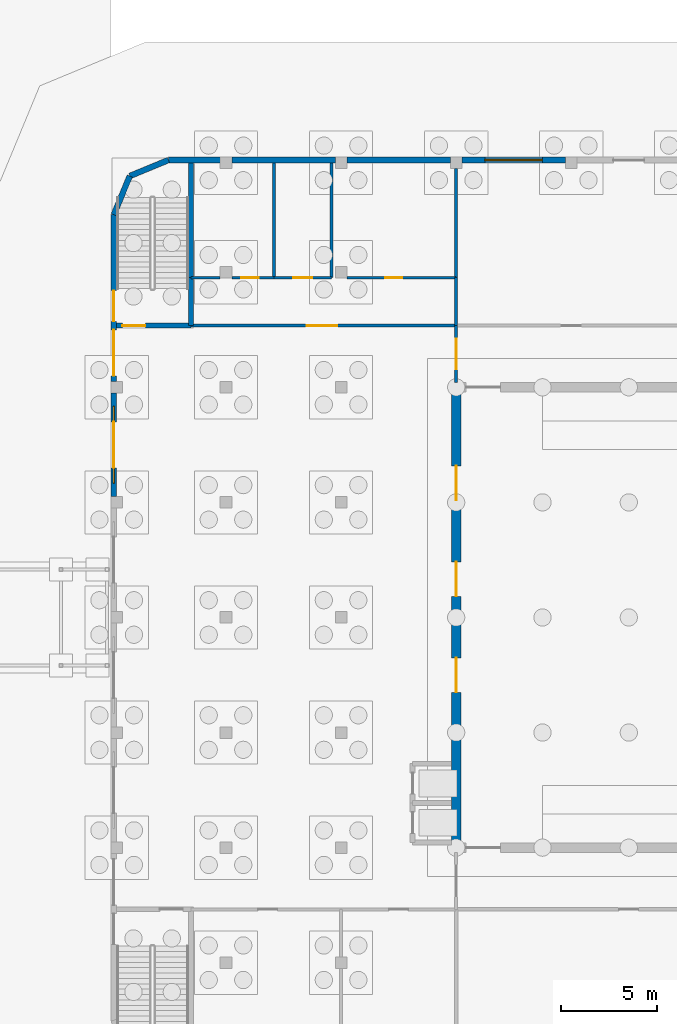
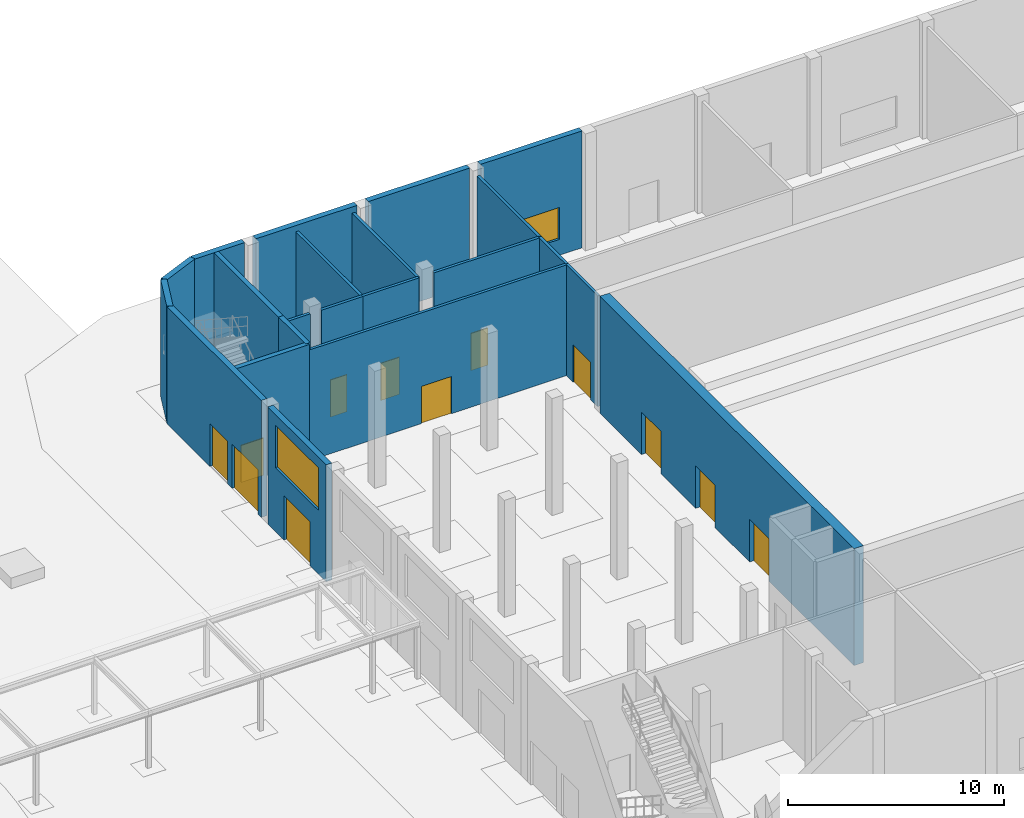
# One storey, part 32 of 44: 22 walls, 12 doors, 2 windows, 14 openings.
"""IFC4 building model written with IfcOpenShell, lengths in metres."""

from ifc_helpers import new_model, si_unit, direction, frame, frame_2d, origin, place, context, subcontext, project, spatial, rectangle, extrude, material, layer, layer_set, type_object, element, fill, save


model = new_model("IFC4")

# Units and contexts
model_context = context("Model", 3, precision=1e-05, world=origin(), true_north=direction((0.0, 1.0)))
body_context = subcontext(model_context, "Body", "Model", "MODEL_VIEW")
ifc_project = project(units=[si_unit("LENGTHUNIT", "METRE"), si_unit("AREAUNIT", "SQUARE_METRE"), si_unit("VOLUMEUNIT", "CUBIC_METRE"), si_unit("PLANEANGLEUNIT", "RADIAN"), si_unit("MASSUNIT", "GRAM", prefix="KILO")], contexts=[model_context])

# Site, building, storey
site_placement = place(None, origin())
site = spatial("IfcSite", under=ifc_project, at=site_placement, CompositionType="ELEMENT")
building_placement = place(site_placement, origin())
building = spatial("IfcBuilding", under=site, at=building_placement, Name="Nakaniwa Court", CompositionType="ELEMENT")
storey_placement = place(building_placement, origin())
storey = spatial("IfcBuildingStorey", under=building, at=storey_placement, Name="L00", CompositionType="ELEMENT", Elevation=0.0)

# Wall, openings, doors
ifc_material_1 = material(Name="Concrete C50/60", Category="concrete")
ifc_layer_1 = layer(ifc_material_1, 0.5)
ifc_layer_set_1 = layer_set([ifc_layer_1], Name="Concrete C50/60")
wall_type_1 = type_object("IfcWallType", Name="Auditorium acoustic mass wall RC 500", PredefinedType="SHEAR", material=ifc_layer_set_1)
wall_1_placement = place(storey_placement, frame((170.0, 68.25, 0.0), z_axis=(0.0, 0.0, 1.0), x_axis=(0.0, 1.0, 0.0)))
wall_1 = element("IfcWall", 1, at=wall_1_placement, inside=storey, type_object=wall_type_1, Name="Auditorium west wall L00", PredefinedType="SHEAR", context=body_context, shape_type="SweptSolid", body=[
    extrude(rectangle(XDim=23.5, YDim=0.5, at=frame_2d((11.75, 0.0))), origin(), (0.0, 0.0, 1.0), 6.60009765625),
])
opening_1_placement = place(wall_1_placement, frame((7.85009765625, 0.0, 0.0)))
opening_1 = element("IfcOpeningElement", 2, at=opening_1_placement, cuts=wall_1, Name="Opening HD-40", PredefinedType="OPENING", context=body_context, shape_type="SweptSolid", body=[
    extrude(rectangle(XDim=1.800048828125, YDim=2.39990234375, at=frame_2d((0.89990234375, 1.199951171875))), frame((0.0, 0.260009765625, 0.0), z_axis=(0.0, -1.0, 0.0), x_axis=(1.0, 0.0, 0.0)), (0.0, 0.0, 1.0), 0.52001953125),
])
opening_2_placement = place(wall_1_placement, frame((12.85009765625, 0.0, 0.0)))
opening_2 = element("IfcOpeningElement", 3, at=opening_2_placement, cuts=wall_1, Name="Opening HD-41", PredefinedType="OPENING", context=body_context, shape_type="SweptSolid", body=[
    extrude(rectangle(XDim=1.800048828125, YDim=2.39990234375, at=frame_2d((0.89990234375, 1.199951171875))), frame((0.0, 0.260009765625, 0.0), z_axis=(0.0, -1.0, 0.0), x_axis=(1.0, 0.0, 0.0)), (0.0, 0.0, 1.0), 0.52001953125),
])
opening_3_placement = place(wall_1_placement, frame((17.85009765625, 0.0, 0.0)))
opening_3 = element("IfcOpeningElement", 4, at=opening_3_placement, cuts=wall_1, Name="Opening HD-42", PredefinedType="OPENING", context=body_context, shape_type="SweptSolid", body=[
    extrude(rectangle(XDim=1.800048828125, YDim=2.39990234375, at=frame_2d((0.89990234375, 1.199951171875))), frame((0.0, 0.260009765625, 0.0), z_axis=(0.0, -1.0, 0.0), x_axis=(1.0, 0.0, 0.0)), (0.0, 0.0, 1.0), 0.52001953125),
])
ifc_material_2 = material(Name="Acoustic solid-core timber double leaf in steel frame", Category="steel")
door_type_1 = type_object("IfcDoorType", Name="Hall acoustic double door 1800x2400", OperationType="DOUBLE_DOOR_SINGLE_SWING", PredefinedType="DOOR", material=ifc_material_2)
door_1_placement = place(opening_1_placement, origin())
door_1 = element("IfcDoor", 5, at=door_1_placement, inside=storey, type_object=door_type_1, Name="L00 door stalls-W1", OperationType="DOUBLE_DOOR_SINGLE_SWING", OverallHeight=2.39990234375, OverallWidth=1.800048828125, PredefinedType="DOOR", context=body_context, shape_type="SweptSolid", body=[
    extrude(rectangle(XDim=1.800048828125, YDim=2.39990234375, at=frame_2d((0.89990234375, 1.199951171875))), frame((0.0, 0.02490234375, 0.0), z_axis=(0.0, -1.0, 0.0), x_axis=(1.0, 0.0, 0.0)), (0.0, 0.0, 1.0), 0.050048828125),
])
fill(opening_1, door_1)
door_2_placement = place(opening_2_placement, origin())
door_2 = element("IfcDoor", 6, at=door_2_placement, inside=storey, type_object=door_type_1, Name="L00 door stalls-W2", OperationType="DOUBLE_DOOR_SINGLE_SWING", OverallHeight=2.39990234375, OverallWidth=1.800048828125, PredefinedType="DOOR", context=body_context, shape_type="SweptSolid", body=[
    extrude(rectangle(XDim=1.800048828125, YDim=2.39990234375, at=frame_2d((0.89990234375, 1.199951171875))), frame((0.0, 0.02490234375, 0.0), z_axis=(0.0, -1.0, 0.0), x_axis=(1.0, 0.0, 0.0)), (0.0, 0.0, 1.0), 0.050048828125),
])
fill(opening_2, door_2)
door_3_placement = place(opening_3_placement, origin())
door_3 = element("IfcDoor", 7, at=door_3_placement, inside=storey, type_object=door_type_1, Name="L00 door stalls-W3", OperationType="DOUBLE_DOOR_SINGLE_SWING", OverallHeight=2.39990234375, OverallWidth=1.800048828125, PredefinedType="DOOR", context=body_context, shape_type="SweptSolid", body=[
    extrude(rectangle(XDim=1.800048828125, YDim=2.39990234375, at=frame_2d((0.89990234375, 1.199951171875))), frame((0.0, 0.02490234375, 0.0), z_axis=(0.0, -1.0, 0.0), x_axis=(1.0, 0.0, 0.0)), (0.0, 0.0, 1.0), 0.050048828125),
])
fill(opening_3, door_3)

# Wall, openings, door, window
ifc_layer_2 = layer(ifc_material_1, 0.300048828125)
ifc_layer_set_2 = layer_set([ifc_layer_2], Name="Concrete C50/60")
wall_type_2 = type_object("IfcWallType", Name="Fair faced concrete wall 300", PredefinedType="SOLIDWALL", material=ifc_layer_set_2)
wall_2_placement = place(storey_placement, frame((152.14990234375, 86.300048828125, 0.0), z_axis=(0.0, 0.0, 1.0), x_axis=(0.0, 1.0, 0.0)))
wall_2 = element("IfcWall", 8, at=wall_2_placement, inside=storey, type_object=wall_type_2, Name="Facade wall L00 7", PredefinedType="SOLIDWALL", context=body_context, shape_type="SweptSolid", body=[
    extrude(rectangle(XDim=5.39990234375, YDim=0.300048828125, at=frame_2d((2.699951171875, 0.0))), origin(), (0.0, 0.0, 1.0), 6.60009765625),
])
opening_4_placement = place(wall_2_placement, frame((1.5, 0.0, 0.0)))
opening_4 = element("IfcOpeningElement", 9, at=opening_4_placement, cuts=wall_2, Name="Opening HD-06", PredefinedType="OPENING", context=body_context, shape_type="SweptSolid", body=[
    extrude(rectangle(XDim=2.39990234375, YDim=2.5, at=frame_2d((1.199951171875, 1.25))), frame((0.0, 0.159912109375, 0.0), z_axis=(0.0, -1.0, 0.0), x_axis=(1.0, 0.0, 0.0)), (0.0, 0.0, 1.0), 0.320068359375),
])
opening_5_placement = place(wall_2_placement, frame((0.699951171875, 0.0, 3.60009765625)))
opening_5 = element("IfcOpeningElement", 10, at=opening_5_placement, cuts=wall_2, Name="Opening HWN-10", PredefinedType="OPENING", context=body_context, shape_type="SweptSolid", body=[
    extrude(rectangle(XDim=4.0, YDim=2.39990234375, at=frame_2d((2.0, 1.199951171875))), frame((0.0, 0.159912109375, 0.0), z_axis=(0.0, -1.0, 0.0), x_axis=(1.0, 0.0, 0.0)), (0.0, 0.0, 1.0), 0.320068359375),
])
ifc_material_3 = material(Name="Black powder-coated aluminium frame with dark glass", Category="aluminium")
door_type_2 = type_object("IfcDoorType", Name="Hall entrance double door 2400x2500", OperationType="DOUBLE_DOOR_SINGLE_SWING", PredefinedType="DOOR", material=ifc_material_3)
door_4_placement = place(opening_4_placement, origin())
door_4 = element("IfcDoor", 11, at=door_4_placement, inside=storey, type_object=door_type_2, Name="Foyer entrance doors 006", OperationType="SINGLE_SWING_LEFT", OverallHeight=2.5, OverallWidth=2.39990234375, PredefinedType="DOOR", context=body_context, shape_type="SweptSolid", body=[
    extrude(rectangle(XDim=2.39990234375, YDim=2.5, at=frame_2d((1.199951171875, 1.25))), frame((0.0, 0.02490234375, 0.0), z_axis=(0.0, -1.0, 0.0), x_axis=(1.0, 0.0, 0.0)), (0.0, 0.0, 1.0), 0.050048828125),
])
fill(opening_4, door_4)
window_type_1 = type_object("IfcWindowType", Name="Hall foyer high light 4000x2400", PartitioningType="DOUBLE_PANEL_VERTICAL", PredefinedType="WINDOW", material=ifc_material_3)
window_1_placement = place(opening_5_placement, origin())
window_1 = element("IfcWindow", 12, at=window_1_placement, inside=storey, type_object=window_type_1, Name="Foyer high light 006", OverallHeight=2.39990234375, OverallWidth=4.0, PartitioningType="SINGLE_PANEL", PredefinedType="WINDOW", context=body_context, shape_type="SweptSolid", body=[
    extrude(rectangle(XDim=4.0, YDim=2.39990234375, at=frame_2d((2.0, 1.199951171875))), frame((0.0, 0.030029296875, 0.0), z_axis=(0.0, -1.0, 0.0), x_axis=(1.0, 0.0, 0.0)), (0.0, 0.0, 1.0), 0.06005859375),
])
fill(opening_5, window_1)

# Wall, openings, doors
wall_3_placement = place(storey_placement, frame((152.14990234375, 92.300048828125, 0.0), z_axis=(0.0, 0.0, 1.0), x_axis=(0.0, 1.0, 0.0)))
wall_3 = element("IfcWall", 13, at=wall_3_placement, inside=storey, type_object=wall_type_2, Name="Facade wall L00 8", PredefinedType="SOLIDWALL", context=body_context, shape_type="SweptSolid", body=[
    extrude(rectangle(XDim=8.699951171875, YDim=0.300048828125, at=frame_2d((4.35009765625, 0.0))), origin(), (0.0, 0.0, 1.0), 6.60009765625),
])
opening_6_placement = place(wall_3_placement, frame((3.139892578125, 0.0, 0.0)))
opening_6 = element("IfcOpeningElement", 14, at=opening_6_placement, cuts=wall_3, Name="Opening HD-07", PredefinedType="OPENING", context=body_context, shape_type="SweptSolid", body=[
    extrude(rectangle(XDim=1.60009765625, YDim=2.39990234375, at=frame_2d((0.800048828125, 1.199951171875))), frame((0.0, 0.159912109375, 0.0), z_axis=(0.0, -1.0, 0.0), x_axis=(1.0, 0.0, 0.0)), (0.0, 0.0, 1.0), 0.320068359375),
])
opening_7_placement = place(wall_3_placement, frame((0.300048828125, 0.0, 0.0)))
opening_7 = element("IfcOpeningElement", 15, at=opening_7_placement, cuts=wall_3, Name="Opening HD-08", PredefinedType="OPENING", context=body_context, shape_type="SweptSolid", body=[
    extrude(rectangle(XDim=2.39990234375, YDim=2.5, at=frame_2d((1.199951171875, 1.25))), frame((0.0, 0.159912109375, 0.0), z_axis=(0.0, -1.0, 0.0), x_axis=(1.0, 0.0, 0.0)), (0.0, 0.0, 1.0), 0.320068359375),
])
door_5_placement = place(opening_7_placement, origin())
door_5 = element("IfcDoor", 16, at=door_5_placement, inside=storey, type_object=door_type_2, Name="Foyer entrance doors 2", OperationType="SINGLE_SWING_LEFT", OverallHeight=2.5, OverallWidth=2.39990234375, PredefinedType="DOOR", context=body_context, shape_type="SweptSolid", body=[
    extrude(rectangle(XDim=2.39990234375, YDim=2.5, at=frame_2d((1.199951171875, 1.25))), frame((0.0, 0.02490234375, 0.0), z_axis=(0.0, -1.0, 0.0), x_axis=(1.0, 0.0, 0.0)), (0.0, 0.0, 1.0), 0.050048828125),
])
fill(opening_7, door_5)
ifc_material_4 = material(Name="Insulated steel door leaf in steel frame", Category="steel")
door_type_3 = type_object("IfcDoorType", Name="Hall exit double door 1600x2400", OperationType="DOUBLE_DOOR_SINGLE_SWING", PredefinedType="DOOR", material=ifc_material_4)
door_6_placement = place(opening_6_placement, origin())
door_6 = element("IfcDoor", 17, at=door_6_placement, inside=storey, type_object=door_type_3, Name="Exit door ST-H2", OperationType="SINGLE_SWING_LEFT", OverallHeight=2.39990234375, OverallWidth=1.60009765625, PredefinedType="DOOR", context=body_context, shape_type="SweptSolid", body=[
    extrude(rectangle(XDim=1.60009765625, YDim=2.39990234375, at=frame_2d((0.800048828125, 1.199951171875))), frame((0.0, 0.02490234375, 0.0), z_axis=(0.0, -1.0, 0.0), x_axis=(1.0, 0.0, 0.0)), (0.0, 0.0, 1.0), 0.050048828125),
])
fill(opening_6, door_6)

# Walls
for number, where, z_axis, x_axis, name in (
    (18, (152.14990234375, 101.0, 0.0), (0.0, 0.0, 1.0), (0.382651625058, 0.923892706888, 0.0), "Facade wall L00 9"),
    (19, (152.984619140625, 103.015380859375, 0.0), (0.0, 0.0, 1.0), (0.923892706888, 0.382651625058, 0.0), "Facade wall L00 10"),
):
    element("IfcWall", number, at=place(storey_placement, frame(where, z_axis=z_axis, x_axis=x_axis)), inside=storey, type_object=wall_type_2, Name=name, PredefinedType="SOLIDWALL", context=body_context, shape_type="SweptSolid", body=[
        extrude(rectangle(XDim=2.181396484375, YDim=0.300048828125, at=frame_2d((1.0908203125, 0.0))), origin(), (0.0, 0.0, 1.0), 6.60009765625),
    ])
wall_4_placement = place(storey_placement, frame((155.0, 103.85009765625, 0.0), z_axis=(0.0, 0.0, 1.0), x_axis=(1.0, 0.0, 0.0)))
element("IfcWall", 20, at=wall_4_placement, inside=storey, type_object=wall_type_2, Name="Facade wall L00 11", PredefinedType="SOLIDWALL", context=body_context, shape_type="SweptSolid", body=[
    extrude(rectangle(XDim=2.699951171875, YDim=0.300048828125, at=frame_2d((1.35009765625, 0.0))), origin(), (0.0, 0.0, 1.0), 6.60009765625),
])
for number, where, z_axis, x_axis, name in (
    (21, (158.300048828125, 103.85009765625, 0.0), (0.0, 0.0, 1.0), (1.0, 0.0, 0.0), "Facade wall L00 12"),
    (22, (164.300048828125, 103.85009765625, 0.0), (0.0, 0.0, 1.0), (1.0, 0.0, 0.0), "Facade wall L00 13"),
):
    element("IfcWall", number, at=place(storey_placement, frame(where, z_axis=z_axis, x_axis=x_axis)), inside=storey, type_object=wall_type_2, Name=name, PredefinedType="SOLIDWALL", context=body_context, shape_type="SweptSolid", body=[
        extrude(rectangle(XDim=5.39990234375, YDim=0.300048828125, at=frame_2d((2.699951171875, 0.0))), origin(), (0.0, 0.0, 1.0), 6.60009765625),
    ])

# Wall, opening, window
wall_5_placement = place(storey_placement, frame((170.300048828125, 103.85009765625, 0.0), z_axis=(0.0, 0.0, 1.0), x_axis=(1.0, 0.0, 0.0)))
wall_5 = element("IfcWall", 23, at=wall_5_placement, inside=storey, type_object=wall_type_2, Name="Facade wall L00 14", PredefinedType="SOLIDWALL", context=body_context, shape_type="SweptSolid", body=[
    extrude(rectangle(XDim=5.39990234375, YDim=0.300048828125, at=frame_2d((2.699951171875, 0.0))), origin(), (0.0, 0.0, 1.0), 6.60009765625),
])
opening_8_placement = place(wall_5_placement, frame((1.199951171875, 0.0, 0.89990234375)))
opening_8 = element("IfcOpeningElement", 24, at=opening_8_placement, cuts=wall_5, Name="Opening HWN-11", PredefinedType="OPENING", context=body_context, shape_type="SweptSolid", body=[
    extrude(rectangle(XDim=3.0, YDim=1.800048828125, at=frame_2d((1.5, 0.89990234375))), frame((0.0, 0.159912109375, 0.0), z_axis=(0.0, -1.0, 0.0), x_axis=(1.0, 0.0, 0.0)), (0.0, 0.0, 1.0), 0.320068359375),
])
window_type_2 = type_object("IfcWindowType", Name="Hall window 3000x1800", PartitioningType="SINGLE_PANEL", PredefinedType="WINDOW", material=ifc_material_3)
window_2_placement = place(opening_8_placement, origin())
window_2 = element("IfcWindow", 25, at=window_2_placement, inside=storey, type_object=window_type_2, Name="Window L00:013", OverallHeight=1.800048828125, OverallWidth=3.0, PartitioningType="SINGLE_PANEL", PredefinedType="WINDOW", context=body_context, shape_type="SweptSolid", body=[
    extrude(rectangle(XDim=3.0, YDim=1.800048828125, at=frame_2d((1.5, 0.89990234375))), frame((0.0, 0.030029296875, 0.0), z_axis=(0.0, -1.0, 0.0), x_axis=(1.0, 0.0, 0.0)), (0.0, 0.0, 1.0), 0.06005859375),
])
fill(opening_8, window_2)

# Wall, opening, door
ifc_material_5 = material(Name="Concrete C40/50", Category="concrete")
ifc_layer_3 = layer(ifc_material_5, 0.25)
ifc_layer_set_3 = layer_set([ifc_layer_3], Name="Concrete C40/50")
wall_type_3 = type_object("IfcWallType", Name="Fire isolated shaft wall RC 250", PredefinedType="SOLIDWALL", material=ifc_layer_set_3)
wall_6_placement = place(storey_placement, frame((152.300048828125, 95.215087890625, 0.0), z_axis=(0.0, 0.0, 1.0), x_axis=(1.0, 0.0, 0.0)))
wall_6 = element("IfcWall", 26, at=wall_6_placement, inside=storey, type_object=wall_type_3, Name="L00 shaft wall 2", PredefinedType="SOLIDWALL", context=body_context, shape_type="SweptSolid", body=[
    extrude(rectangle(XDim=3.875, YDim=0.25, at=frame_2d((1.9375, 0.0))), origin(), (0.0, 0.0, 1.0), 6.60009765625),
])
opening_9_placement = place(wall_6_placement, frame((0.300048828125, 0.0, 0.0)))
opening_9 = element("IfcOpeningElement", 27, at=opening_9_placement, cuts=wall_6, Name="Opening HD-18", PredefinedType="OPENING", context=body_context, shape_type="SweptSolid", body=[
    extrude(rectangle(XDim=1.199951171875, YDim=2.10009765625, at=frame_2d((0.60009765625, 1.050048828125))), frame((0.0, 0.135009765625, 0.0), z_axis=(0.0, -1.0, 0.0), x_axis=(1.0, 0.0, 0.0)), (0.0, 0.0, 1.0), 0.27001953125),
])
door_type_4 = type_object("IfcDoorType", Name="Hall stair door 1200x2100", OperationType="SINGLE_SWING_LEFT", PredefinedType="DOOR", material=ifc_material_4)
door_7_placement = place(opening_9_placement, origin())
door_7 = element("IfcDoor", 28, at=door_7_placement, inside=storey, type_object=door_type_4, Name="L00 door Exit-stair-H2", OperationType="SINGLE_SWING_RIGHT", OverallHeight=2.10009765625, OverallWidth=1.199951171875, PredefinedType="DOOR", context=body_context, shape_type="SweptSolid", body=[
    extrude(rectangle(XDim=1.199951171875, YDim=2.10009765625, at=frame_2d((0.60009765625, 1.050048828125))), frame((0.0, 0.02490234375, 0.0), z_axis=(0.0, -1.0, 0.0), x_axis=(1.0, 0.0, 0.0)), (0.0, 0.0, 1.0), 0.050048828125),
])
fill(opening_9, door_7)

# Walls
wall_7_placement = place(storey_placement, frame((156.175048828125, 97.715087890625, 0.0), z_axis=(0.0, 0.0, 1.0), x_axis=(0.0, -1.0, 0.0)))
element("IfcWall", 29, at=wall_7_placement, inside=storey, type_object=wall_type_3, Name="L00 shaft wall 6", PredefinedType="SOLIDWALL", context=body_context, shape_type="SweptSolid", body=[
    extrude(rectangle(XDim=2.5, YDim=0.25, at=frame_2d((1.25, 0.0))), origin(), (0.0, 0.0, 1.0), 6.60009765625),
])
wall_8_placement = place(storey_placement, frame((156.175048828125, 103.699951171875, 0.0), z_axis=(0.0, 0.0, 1.0), x_axis=(0.0, -1.0, 0.0)))
element("IfcWall", 30, at=wall_8_placement, inside=storey, type_object=wall_type_3, Name="L00 shaft wall 9", PredefinedType="SOLIDWALL", context=body_context, shape_type="SweptSolid", body=[
    extrude(rectangle(XDim=5.98486328125, YDim=0.25, at=frame_2d((2.992431640625, 0.0))), origin(), (0.0, 0.0, 1.0), 6.60009765625),
])

# Wall, opening, door
ifc_material_6 = material(Name="Steel stud plasterboard partition", Category="steel")
ifc_layer_4 = layer(ifc_material_6, 0.14990234375)
ifc_layer_set_4 = layer_set([ifc_layer_4], Name="Steel stud plasterboard partition")
wall_type_4 = type_object("IfcWallType", Name="Partition 150", PredefinedType="PARTITIONING", material=ifc_layer_set_4)
wall_9_placement = place(storey_placement, frame((156.175048828125, 95.215087890625, 0.0), z_axis=(0.0, 0.0, 1.0), x_axis=(1.0, 0.0, 0.0)))
wall_9 = element("IfcWall", 31, at=wall_9_placement, inside=storey, type_object=wall_type_4, Name="L00 partition wall 5", PredefinedType="PARTITIONING", context=body_context, shape_type="SweptSolid", body=[
    extrude(rectangle(XDim=13.824951171875, YDim=0.14990234375, at=frame_2d((6.91259765625, 0.0))), origin(), (0.0, 0.0, 1.0), 6.25),
])
opening_10_placement = place(wall_9_placement, frame((6.02490234375, 0.0, 0.0)))
opening_10 = element("IfcOpeningElement", 32, at=opening_10_placement, cuts=wall_9, Name="Opening HD-20", PredefinedType="OPENING", context=body_context, shape_type="SweptSolid", body=[
    extrude(rectangle(XDim=1.60009765625, YDim=2.10009765625, at=frame_2d((0.800048828125, 1.050048828125))), frame((0.0, 0.0849609375, 0.0), z_axis=(0.0, -1.0, 0.0), x_axis=(1.0, 0.0, 0.0)), (0.0, 0.0, 1.0), 0.169921875),
])
ifc_material_7 = material(Name="Solid-core timber door leaf in steel frame", Category="steel")
door_type_5 = type_object("IfcDoorType", Name="Hall corridor double door 1600x2100", OperationType="DOUBLE_DOOR_SINGLE_SWING", PredefinedType="DOOR", material=ifc_material_7)
door_8_placement = place(opening_10_placement, origin())
door_8 = element("IfcDoor", 33, at=door_8_placement, inside=storey, type_object=door_type_5, Name="L00 door lobby", OperationType="DOUBLE_DOOR_SINGLE_SWING", OverallHeight=2.10009765625, OverallWidth=1.60009765625, PredefinedType="DOOR", context=body_context, shape_type="SweptSolid", body=[
    extrude(rectangle(XDim=1.60009765625, YDim=2.10009765625, at=frame_2d((0.800048828125, 1.050048828125))), frame((0.0, 0.02490234375, 0.0), z_axis=(0.0, -1.0, 0.0), x_axis=(1.0, 0.0, 0.0)), (0.0, 0.0, 1.0), 0.050048828125),
])
fill(opening_10, door_8)

wall_10_placement = place(storey_placement, frame((170.0, 95.215087890625, 0.0), z_axis=(0.0, 0.0, 1.0), x_axis=(0.0, -1.0, 0.0)))
wall_10 = element("IfcWall", 34, at=wall_10_placement, inside=storey, type_object=wall_type_4, Name="L00 partition wall 25", PredefinedType="PARTITIONING", context=body_context, shape_type="SweptSolid", body=[
    extrude(rectangle(XDim=2.965087890625, YDim=0.14990234375, at=frame_2d((1.482421875, 0.0))), origin(), (0.0, 0.0, 1.0), 6.25),
])
opening_11_placement = place(wall_10_placement, frame((0.6826171875, 0.0, 0.0)))
opening_11 = element("IfcOpeningElement", 35, at=opening_11_placement, cuts=wall_10, Name="Opening HD-27", PredefinedType="OPENING", context=body_context, shape_type="SweptSolid", body=[
    extrude(rectangle(XDim=1.60009765625, YDim=2.10009765625, at=frame_2d((0.800048828125, 1.050048828125))), frame((0.0, 0.0849609375, 0.0), z_axis=(0.0, -1.0, 0.0), x_axis=(1.0, 0.0, 0.0)), (0.0, 0.0, 1.0), 0.169921875),
])
door_9_placement = place(opening_11_placement, origin())
door_9 = element("IfcDoor", 36, at=door_9_placement, inside=storey, type_object=door_type_5, Name="L00 door foyer-corridor-2", OperationType="DOUBLE_DOOR_SINGLE_SWING", OverallHeight=2.10009765625, OverallWidth=1.60009765625, PredefinedType="DOOR", context=body_context, shape_type="SweptSolid", body=[
    extrude(rectangle(XDim=1.60009765625, YDim=2.10009765625, at=frame_2d((0.800048828125, 1.050048828125))), frame((0.0, 0.02490234375, 0.0), z_axis=(0.0, -1.0, 0.0), x_axis=(1.0, 0.0, 0.0)), (0.0, 0.0, 1.0), 0.050048828125),
])
fill(opening_11, door_9)

# Walls
wall_11_placement = place(storey_placement, frame((170.0, 97.715087890625, 0.0), z_axis=(0.0, 0.0, 1.0), x_axis=(0.0, -1.0, 0.0)))
element("IfcWall", 37, at=wall_11_placement, inside=storey, type_object=wall_type_4, Name="L00 partition wall 27", PredefinedType="PARTITIONING", context=body_context, shape_type="SweptSolid", body=[
    extrude(rectangle(XDim=2.5, YDim=0.14990234375, at=frame_2d((1.25, 0.0))), origin(), (0.0, 0.0, 1.0), 6.25),
])
ifc_material_8 = material(Name="Moisture-resistant steel stud partition", Category="steel")
ifc_layer_5 = layer(ifc_material_8, 0.14990234375)
ifc_layer_set_5 = layer_set([ifc_layer_5], Name="Moisture-resistant steel stud partition")
wall_type_5 = type_object("IfcWallType", Name="Wet area partition 150", PredefinedType="PLUMBINGWALL", material=ifc_layer_set_5)
wall_12_placement = place(storey_placement, frame((156.175048828125, 97.715087890625, 0.0), z_axis=(0.0, 0.0, 1.0), x_axis=(1.0, 0.0, 0.0)))
element("IfcWall", 38, at=wall_12_placement, inside=storey, type_object=wall_type_5, Name="L00 partition wall 7", PredefinedType="PLUMBINGWALL", context=body_context, shape_type="SweptSolid", body=[
    extrude(rectangle(XDim=1.52490234375, YDim=0.14990234375, at=frame_2d((0.762451171875, 0.0))), origin(), (0.0, 0.0, 1.0), 6.25),
])

# Wall, opening, door
wall_13_placement = place(storey_placement, frame((158.300048828125, 97.715087890625, 0.0), z_axis=(0.0, 0.0, 1.0), x_axis=(1.0, 0.0, 0.0)))
wall_13 = element("IfcWall", 39, at=wall_13_placement, inside=storey, type_object=wall_type_5, Name="L00 partition wall 8", PredefinedType="PLUMBINGWALL", context=body_context, shape_type="SweptSolid", body=[
    extrude(rectangle(XDim=2.199951171875, YDim=0.14990234375, at=frame_2d((1.10009765625, 0.0))), origin(), (0.0, 0.0, 1.0), 6.25),
])
opening_12_placement = place(wall_13_placement, frame((0.5, 0.0, 0.0)))
opening_12 = element("IfcOpeningElement", 40, at=opening_12_placement, cuts=wall_13, Name="Opening HD-21", PredefinedType="OPENING", context=body_context, shape_type="SweptSolid", body=[
    extrude(rectangle(XDim=0.89990234375, YDim=2.10009765625, at=frame_2d((0.449951171875, 1.050048828125))), frame((0.0, 0.0849609375, 0.0), z_axis=(0.0, -1.0, 0.0), x_axis=(1.0, 0.0, 0.0)), (0.0, 0.0, 1.0), 0.169921875),
])
door_type_6 = type_object("IfcDoorType", Name="Hall door 900x2100", OperationType="SINGLE_SWING_LEFT", PredefinedType="DOOR", material=ifc_material_7)
door_10_placement = place(opening_12_placement, origin())
door_10 = element("IfcDoor", 41, at=door_10_placement, inside=storey, type_object=door_type_6, Name="L00 door Public-WC-(men)", OperationType="SINGLE_SWING_LEFT", OverallHeight=2.10009765625, OverallWidth=0.89990234375, PredefinedType="DOOR", context=body_context, shape_type="SweptSolid", body=[
    extrude(rectangle(XDim=0.89990234375, YDim=2.10009765625, at=frame_2d((0.449951171875, 1.050048828125))), frame((0.0, 0.02490234375, 0.0), z_axis=(0.0, -1.0, 0.0), x_axis=(1.0, 0.0, 0.0)), (0.0, 0.0, 1.0), 0.050048828125),
])
fill(opening_12, door_10)

wall_14_placement = place(storey_placement, frame((160.5, 97.715087890625, 0.0), z_axis=(0.0, 0.0, 1.0), x_axis=(1.0, 0.0, 0.0)))
wall_14 = element("IfcWall", 42, at=wall_14_placement, inside=storey, type_object=wall_type_5, Name="L00 partition wall 10", PredefinedType="PLUMBINGWALL", context=body_context, shape_type="SweptSolid", body=[
    extrude(rectangle(XDim=3.0, YDim=0.14990234375, at=frame_2d((1.5, 0.0))), origin(), (0.0, 0.0, 1.0), 6.25),
])
opening_13_placement = place(wall_14_placement, frame((1.0, 0.0, 0.0)))
opening_13 = element("IfcOpeningElement", 43, at=opening_13_placement, cuts=wall_14, Name="Opening HD-22", PredefinedType="OPENING", context=body_context, shape_type="SweptSolid", body=[
    extrude(rectangle(XDim=1.0, YDim=2.10009765625, at=frame_2d((0.5, 1.050048828125))), frame((0.0, 0.0849609375, 0.0), z_axis=(0.0, -1.0, 0.0), x_axis=(1.0, 0.0, 0.0)), (0.0, 0.0, 1.0), 0.169921875),
])
door_type_7 = type_object("IfcDoorType", Name="Hall door 1000x2100", OperationType="SINGLE_SWING_LEFT", PredefinedType="DOOR", material=ifc_material_7)
door_11_placement = place(opening_13_placement, origin())
door_11 = element("IfcDoor", 44, at=door_11_placement, inside=storey, type_object=door_type_7, Name="L00 door Accessible-WC", OperationType="SINGLE_SWING_RIGHT", OverallHeight=2.10009765625, OverallWidth=1.0, PredefinedType="DOOR", context=body_context, shape_type="SweptSolid", body=[
    extrude(rectangle(XDim=1.0, YDim=2.10009765625, at=frame_2d((0.5, 1.050048828125))), frame((0.0, 0.02490234375, 0.0), z_axis=(0.0, -1.0, 0.0), x_axis=(1.0, 0.0, 0.0)), (0.0, 0.0, 1.0), 0.050048828125),
])
fill(opening_13, door_11)

# Wall
wall_15_placement = place(storey_placement, frame((160.5, 103.699951171875, 0.0), z_axis=(0.0, 0.0, 1.0), x_axis=(0.0, -1.0, 0.0)))
element("IfcWall", 45, at=wall_15_placement, inside=storey, type_object=wall_type_5, Name="L00 partition wall 11", PredefinedType="PLUMBINGWALL", context=body_context, shape_type="SweptSolid", body=[
    extrude(rectangle(XDim=5.98486328125, YDim=0.14990234375, at=frame_2d((2.992431640625, 0.0))), origin(), (0.0, 0.0, 1.0), 6.25),
])

# Wall, opening, door
wall_16_placement = place(storey_placement, frame((164.300048828125, 97.715087890625, 0.0), z_axis=(0.0, 0.0, 1.0), x_axis=(1.0, 0.0, 0.0)))
wall_16 = element("IfcWall", 46, at=wall_16_placement, inside=storey, type_object=wall_type_5, Name="L00 partition wall 12", PredefinedType="PLUMBINGWALL", context=body_context, shape_type="SweptSolid", body=[
    extrude(rectangle(XDim=5.699951171875, YDim=0.14990234375, at=frame_2d((2.85009765625, 0.0))), origin(), (0.0, 0.0, 1.0), 6.25),
])
opening_14_placement = place(wall_16_placement, frame((2.0, 0.0, 0.0)))
opening_14 = element("IfcOpeningElement", 47, at=opening_14_placement, cuts=wall_16, Name="Opening HD-23", PredefinedType="OPENING", context=body_context, shape_type="SweptSolid", body=[
    extrude(rectangle(XDim=0.89990234375, YDim=2.10009765625, at=frame_2d((0.449951171875, 1.050048828125))), frame((0.0, 0.0849609375, 0.0), z_axis=(0.0, -1.0, 0.0), x_axis=(1.0, 0.0, 0.0)), (0.0, 0.0, 1.0), 0.169921875),
])
door_12_placement = place(opening_14_placement, origin())
door_12 = element("IfcDoor", 48, at=door_12_placement, inside=storey, type_object=door_type_6, Name="L00 door Public-WC-(women)", OperationType="SINGLE_SWING_LEFT", OverallHeight=2.10009765625, OverallWidth=0.89990234375, PredefinedType="DOOR", context=body_context, shape_type="SweptSolid", body=[
    extrude(rectangle(XDim=0.89990234375, YDim=2.10009765625, at=frame_2d((0.449951171875, 1.050048828125))), frame((0.0, 0.02490234375, 0.0), z_axis=(0.0, -1.0, 0.0), x_axis=(1.0, 0.0, 0.0)), (0.0, 0.0, 1.0), 0.050048828125),
])
fill(opening_14, door_12)

# Walls
wall_17_placement = place(storey_placement, frame((163.5, 103.699951171875, 0.0), z_axis=(0.0, 0.0, 1.0), x_axis=(0.0, -1.0, 0.0)))
element("IfcWall", 49, at=wall_17_placement, inside=storey, type_object=wall_type_5, Name="L00 partition wall 13", PredefinedType="PLUMBINGWALL", context=body_context, shape_type="SweptSolid", body=[
    extrude(rectangle(XDim=5.98486328125, YDim=0.14990234375, at=frame_2d((2.992431640625, 0.0))), origin(), (0.0, 0.0, 1.0), 6.25),
])
wall_18_placement = place(storey_placement, frame((170.0, 103.39990234375, 0.0), z_axis=(0.0, 0.0, 1.0), x_axis=(0.0, -1.0, 0.0)))
element("IfcWall", 50, at=wall_18_placement, inside=storey, type_object=wall_type_5, Name="L00 partition wall 28", PredefinedType="PLUMBINGWALL", context=body_context, shape_type="SweptSolid", body=[
    extrude(rectangle(XDim=5.684814453125, YDim=0.14990234375, at=frame_2d((2.84228515625, 0.0))), origin(), (0.0, 0.0, 1.0), 6.25),
])

save(model, "model.ifc")
